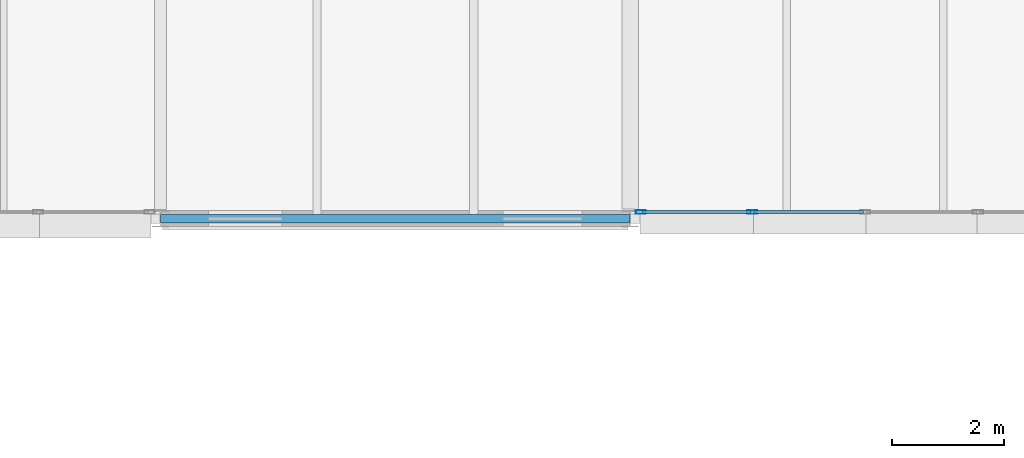
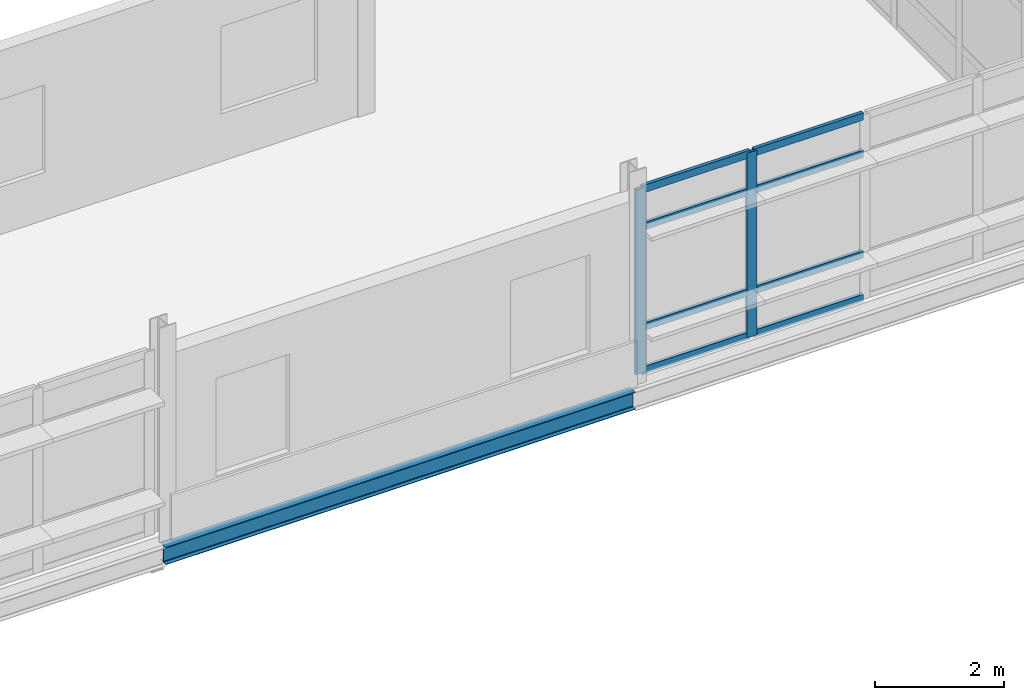
# One storey, part 16 of 103: 10 members, 1 beam, 1 element without a shape of its own.
"""IFC4 building model written with IfcOpenShell, lengths in metres."""

from ifc_helpers import new_model, si_unit, direction, frame, origin, origin_2d, place, context, subcontext, project, spatial, hollow_rectangle, i_section, extrude, material, material_profile, profile_set, type_object, element, aggregate, save


model = new_model("IFC4")

# Units and contexts
model_context = context("Model", 3, precision=1e-05, world=origin(), true_north=direction((0.0, 1.0)))
body_context = subcontext(model_context, "Body", "Model", "MODEL_VIEW")
ifc_project = project(units=[si_unit("LENGTHUNIT", "METRE"), si_unit("AREAUNIT", "SQUARE_METRE"), si_unit("VOLUMEUNIT", "CUBIC_METRE"), si_unit("PLANEANGLEUNIT", "RADIAN"), si_unit("MASSUNIT", "GRAM", prefix="KILO")], contexts=[model_context])

# Site, building, storey
site_placement = place(None, origin())
site = spatial("IfcSite", under=ifc_project, at=site_placement, CompositionType="ELEMENT")
building_placement = place(site_placement, origin())
building = spatial("IfcBuilding", under=site, at=building_placement, Name="Mersafa Astral City Hall", CompositionType="ELEMENT")
storey_placement = place(building_placement, frame((0.0, 0.0, 18.0)))
storey = spatial("IfcBuildingStorey", under=building, at=storey_placement, Name="L04", CompositionType="ELEMENT", Elevation=18.0)

# Curtain wall, members
ifc_material_1 = material(Name="Anodised bronze aluminium framing", Category="aluminium")
curtain_wall_type = type_object("IfcCurtainWallType", Name="ENV-CW-4", PredefinedType="USERDEFINED", material=ifc_material_1)
curtain_wall_placement = place(storey_placement, origin())
curtain_wall = element("IfcCurtainWall", 1, at=curtain_wall_placement, inside=storey, type_object=curtain_wall_type, Name="L04 Unitised solar curtain wall 201", ObjectType="UNITISED CURTAIN WALL", PredefinedType="USERDEFINED")
ifc_material_profile_1 = material_profile(ifc_material_1, hollow_rectangle(XDim=0.06005859375, YDim=0.179931640625, WallThickness=0.00390625, at=origin_2d()), Name="RHS 60x180x4")
ifc_profile_set_1 = profile_set([ifc_material_profile_1], Name="Anodised bronze aluminium framing")
member_type_1 = type_object("IfcMemberType", Name="ENV-CW-MUL-1", PredefinedType="MULLION", material=ifc_profile_set_1)
member_1_placement = place(storey_placement, frame((42.19189453125, 92.52001953125, -0.001953125), z_axis=(0.0, 0.0, 1.0), x_axis=(0.0, 1.0, 0.0)))
member_1 = element("IfcMember", 2, at=member_1_placement, type_object=member_type_1, Name="CW-4 mullion 1", PredefinedType="MULLION", context=body_context, shape_type="SweptSolid", body=[
    extrude(hollow_rectangle(XDim=0.06005859375, YDim=0.179931640625, WallThickness=0.00390625, at=origin_2d()), origin(), (0.0, 0.0, 1.0), 3.489013671875),
])
member_2_placement = place(storey_placement, frame((44.180908203125, 92.52001953125, -0.001953125), z_axis=(0.0, 0.0, 1.0), x_axis=(0.0, 1.0, 0.0)))
member_2 = element("IfcMember", 3, at=member_2_placement, type_object=member_type_1, Name="CW-4 mullion 2", PredefinedType="MULLION", context=body_context, shape_type="SweptSolid", body=[
    extrude(hollow_rectangle(XDim=0.06005859375, YDim=0.179931640625, WallThickness=0.00390625, at=origin_2d()), origin(), (0.0, 0.0, 1.0), 3.489013671875),
])
ifc_material_profile_2 = material_profile(ifc_material_1, hollow_rectangle(XDim=0.06005859375, YDim=0.139892578125, WallThickness=0.00390625, at=origin_2d()), Name="RHS 60x140x4")
ifc_profile_set_2 = profile_set([ifc_material_profile_2], Name="Anodised bronze aluminium framing")
member_type_2 = type_object("IfcMemberType", Name="ENV-CW-TRN-1", PredefinedType="USERDEFINED", material=ifc_profile_set_2)
member_3_placement = place(storey_placement, frame((42.221923828125, 92.52001953125, 0.028076171875), z_axis=(1.0, 0.0, 0.0), x_axis=(0.0, 1.0, 0.0)))
member_3 = element("IfcMember", 4, at=member_3_placement, type_object=member_type_2, Name="CW-4 transom 1.1", ObjectType="TRANSOM", PredefinedType="USERDEFINED", context=body_context, shape_type="SweptSolid", body=[
    extrude(hollow_rectangle(XDim=0.06005859375, YDim=0.139892578125, WallThickness=0.00390625, at=origin_2d()), origin(), (0.0, 0.0, 1.0), 1.928955078125),
])
member_4_placement = place(storey_placement, frame((42.221923828125, 92.52001953125, 0.85009765625), z_axis=(1.0, 0.0, 0.0), x_axis=(0.0, 1.0, 0.0)))
member_4 = element("IfcMember", 5, at=member_4_placement, type_object=member_type_2, Name="CW-4 transom 1.2", ObjectType="TRANSOM", PredefinedType="USERDEFINED", context=body_context, shape_type="SweptSolid", body=[
    extrude(hollow_rectangle(XDim=0.06005859375, YDim=0.139892578125, WallThickness=0.00390625, at=origin_2d()), origin(), (0.0, 0.0, 1.0), 1.928955078125),
])
member_5_placement = place(storey_placement, frame((42.221923828125, 92.52001953125, 2.75), z_axis=(1.0, 0.0, 0.0), x_axis=(0.0, 1.0, 0.0)))
member_5 = element("IfcMember", 6, at=member_5_placement, type_object=member_type_2, Name="CW-4 transom 1.3", ObjectType="TRANSOM", PredefinedType="USERDEFINED", context=body_context, shape_type="SweptSolid", body=[
    extrude(hollow_rectangle(XDim=0.06005859375, YDim=0.139892578125, WallThickness=0.00390625, at=origin_2d()), origin(), (0.0, 0.0, 1.0), 1.928955078125),
])
member_6_placement = place(storey_placement, frame((42.221923828125, 92.52001953125, 3.45703125), z_axis=(1.0, 0.0, 0.0), x_axis=(0.0, 1.0, 0.0)))
member_6 = element("IfcMember", 7, at=member_6_placement, type_object=member_type_2, Name="CW-4 transom 1.4", ObjectType="TRANSOM", PredefinedType="USERDEFINED", context=body_context, shape_type="SweptSolid", body=[
    extrude(hollow_rectangle(XDim=0.06005859375, YDim=0.139892578125, WallThickness=0.00390625, at=origin_2d()), origin(), (0.0, 0.0, 1.0), 1.928955078125),
])
member_7_placement = place(storey_placement, frame((44.2109375, 92.52001953125, 0.028076171875), z_axis=(1.0, 0.0, 0.0), x_axis=(0.0, 1.0, 0.0)))
member_7 = element("IfcMember", 8, at=member_7_placement, type_object=member_type_2, Name="CW-4 transom 2.1", ObjectType="TRANSOM", PredefinedType="USERDEFINED", context=body_context, shape_type="SweptSolid", body=[
    extrude(hollow_rectangle(XDim=0.06005859375, YDim=0.139892578125, WallThickness=0.00390625, at=origin_2d()), origin(), (0.0, 0.0, 1.0), 1.958984375),
])
member_8_placement = place(storey_placement, frame((44.2109375, 92.52001953125, 0.85009765625), z_axis=(1.0, 0.0, 0.0), x_axis=(0.0, 1.0, 0.0)))
member_8 = element("IfcMember", 9, at=member_8_placement, type_object=member_type_2, Name="CW-4 transom 2.2", ObjectType="TRANSOM", PredefinedType="USERDEFINED", context=body_context, shape_type="SweptSolid", body=[
    extrude(hollow_rectangle(XDim=0.06005859375, YDim=0.139892578125, WallThickness=0.00390625, at=origin_2d()), origin(), (0.0, 0.0, 1.0), 1.958984375),
])
member_9_placement = place(storey_placement, frame((44.2109375, 92.52001953125, 2.75), z_axis=(1.0, 0.0, 0.0), x_axis=(0.0, 1.0, 0.0)))
member_9 = element("IfcMember", 10, at=member_9_placement, type_object=member_type_2, Name="CW-4 transom 2.3", ObjectType="TRANSOM", PredefinedType="USERDEFINED", context=body_context, shape_type="SweptSolid", body=[
    extrude(hollow_rectangle(XDim=0.06005859375, YDim=0.139892578125, WallThickness=0.00390625, at=origin_2d()), origin(), (0.0, 0.0, 1.0), 1.958984375),
])
member_10_placement = place(storey_placement, frame((44.2109375, 92.52001953125, 3.45703125), z_axis=(1.0, 0.0, 0.0), x_axis=(0.0, 1.0, 0.0)))
member_10 = element("IfcMember", 11, at=member_10_placement, type_object=member_type_2, Name="CW-4 transom 2.4", ObjectType="TRANSOM", PredefinedType="USERDEFINED", context=body_context, shape_type="SweptSolid", body=[
    extrude(hollow_rectangle(XDim=0.06005859375, YDim=0.139892578125, WallThickness=0.00390625, at=origin_2d()), origin(), (0.0, 0.0, 1.0), 1.958984375),
])
aggregate(curtain_wall, [member_1, member_2, member_3, member_4, member_5, member_6, member_7, member_8, member_9, member_10])

# Beam
ifc_material_2 = material(Name="Steel S355", Category="steel")
ifc_material_profile_3 = material_profile(ifc_material_2, i_section(OverallWidth=0.159912109375, OverallDepth=0.330078125, WebThickness=0.007568359375, FlangeThickness=0.011474609375, FilletRadius=0.01806640625, at=origin_2d()), Name="IPE 330")
ifc_profile_set_3 = profile_set([ifc_material_profile_3], Name="Steel S355")
beam_type = type_object("IfcBeamType", Name="STR-BM-SPANDREL-IPE330", PredefinedType="SPANDREL", material=ifc_profile_set_3)
beam_placement = place(storey_placement, frame((33.60302734375, 92.39990234375, -0.35009765625), z_axis=(1.0, 0.0, 0.0), x_axis=(0.0, 1.0, 0.0)))
element("IfcBeam", 12, at=beam_placement, inside=storey, type_object=beam_type, Name="L04 Primary girder X 4-11", PredefinedType="SPANDREL", context=body_context, shape_type="SweptSolid", body=[
    extrude(i_section(OverallWidth=0.159912109375, OverallDepth=0.330078125, WebThickness=0.007568359375, FlangeThickness=0.011474609375, FilletRadius=0.01806640625, at=origin_2d()), origin(), (0.0, 0.0, 1.0), 8.39404296875),
])

save(model, "model.ifc")
